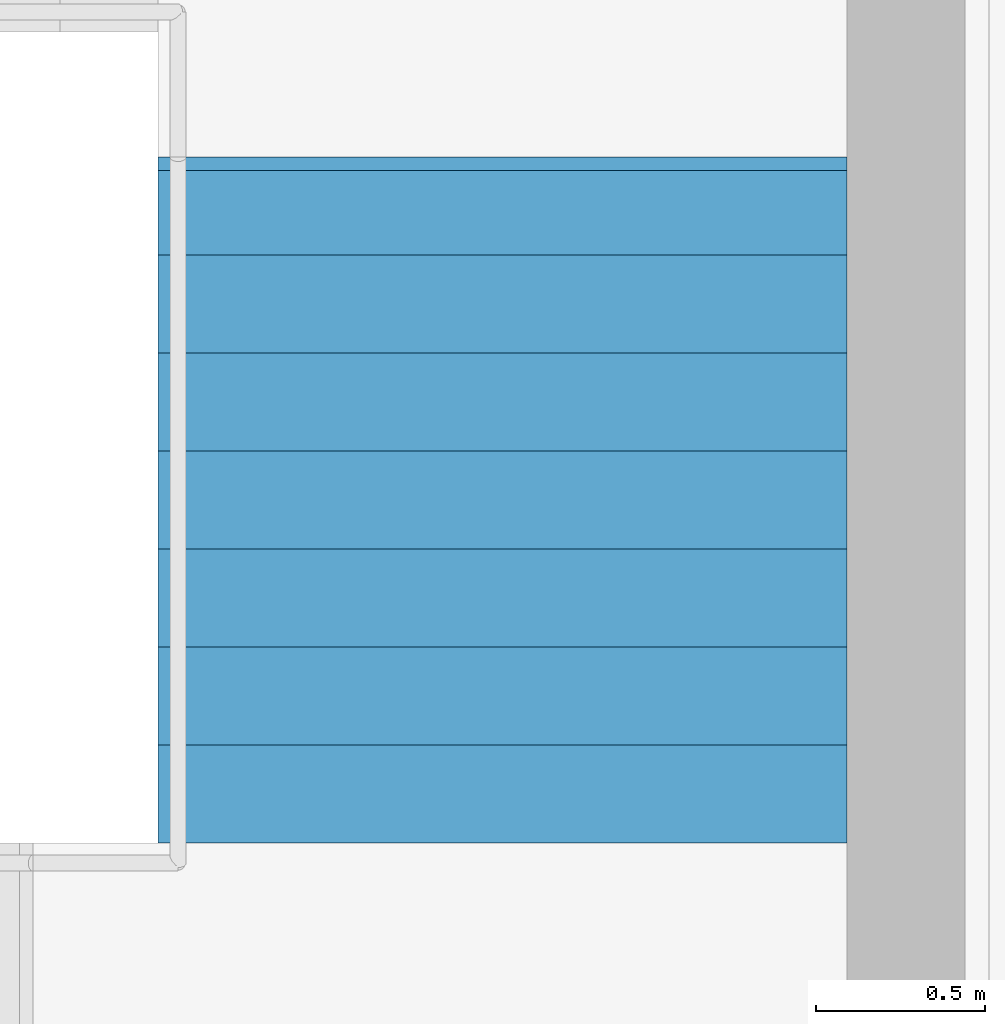
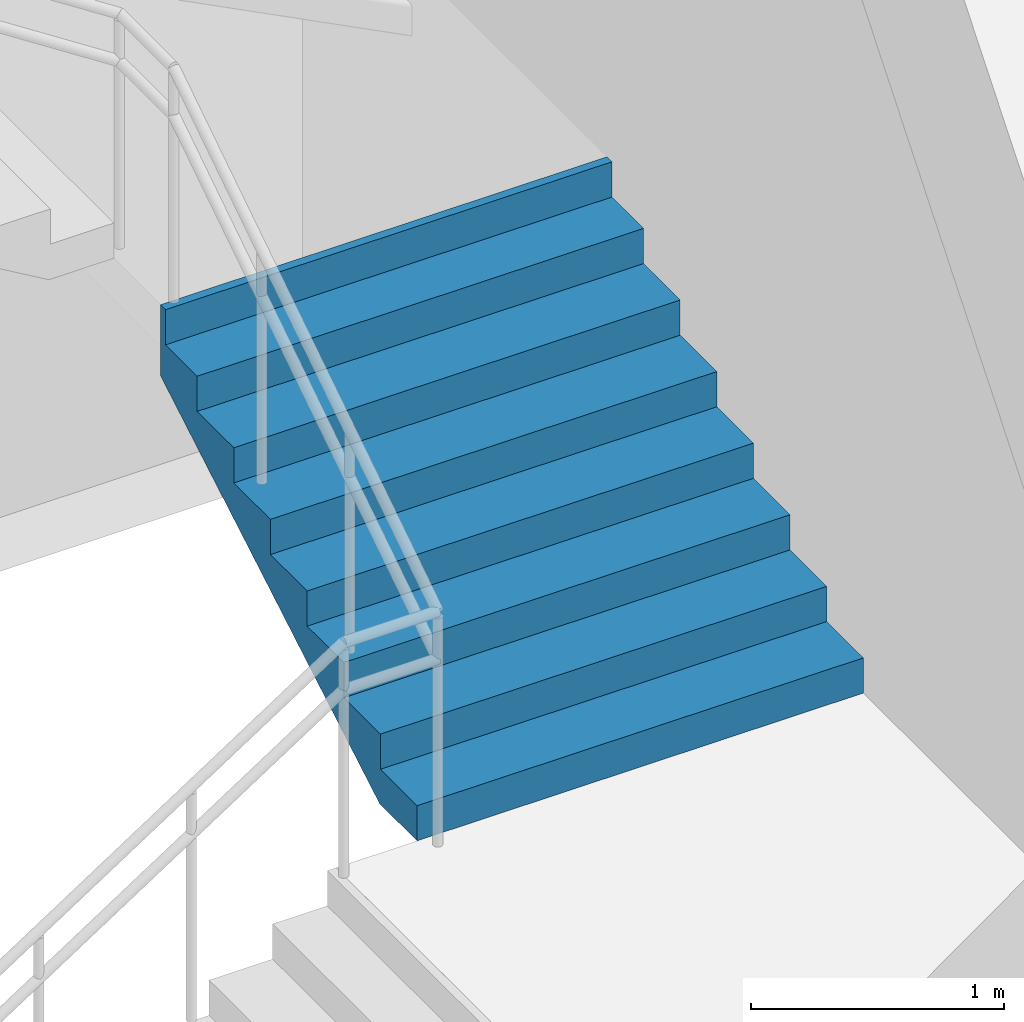
# One storey, part 56 of 74: 1 stair flight, 1 element without a shape of its own.
"""IFC4 building model written with IfcOpenShell, lengths in metres."""

from ifc_helpers import new_model, si_unit, direction, frame, origin, place, context, subcontext, project, spatial, triangles, material, type_object, element, aggregate, save


model = new_model("IFC4")

# Units and contexts
model_context = context("Model", 3, precision=1e-05, world=origin(), true_north=direction((0.0, 1.0)))
body_context = subcontext(model_context, "Body", "Model", "MODEL_VIEW")
ifc_project = project(units=[si_unit("LENGTHUNIT", "METRE"), si_unit("AREAUNIT", "SQUARE_METRE"), si_unit("VOLUMEUNIT", "CUBIC_METRE"), si_unit("PLANEANGLEUNIT", "RADIAN"), si_unit("MASSUNIT", "GRAM", prefix="KILO")], contexts=[model_context])

# Site, building, storey
site_placement = place(None, origin())
site = spatial("IfcSite", under=ifc_project, at=site_placement, CompositionType="ELEMENT")
building_placement = place(site_placement, origin())
building = spatial("IfcBuilding", under=site, at=building_placement, Name="Sillaruma Civic Art Gallery", CompositionType="ELEMENT")
storey_placement = place(building_placement, frame((0.0, 0.0, 5.43994140625)))
storey = spatial("IfcBuildingStorey", under=building, at=storey_placement, Name="L01", CompositionType="ELEMENT", Elevation=5.43994140625)

# Stair, stair flight
ifc_material = material(Name="Concrete H35 (35 MPa)", Category="concrete")
stair_type = type_object("IfcStairType", Name="STR-4F-32", PredefinedType="USERDEFINED", material=ifc_material)
stair_placement = place(storey_placement, origin())
stair = element("IfcStair", 1, at=stair_placement, inside=storey, type_object=stair_type, Name="Protected Exit Stair ST-04 (East Bar) (L01)", ObjectType="THREE_RETURN_STAIR", PredefinedType="USERDEFINED")
stair_flight_type = type_object("IfcStairFlightType", Name="SFL-STR-8", PredefinedType="STRAIGHT", material=ifc_material)
stair_flight_placement = place(storey_placement, frame((104.320068359375, 53.25, 1.360107421875), z_axis=(0.0, 0.0, 1.0), x_axis=(0.0, 1.0, 0.0)))
stair_flight = element("IfcStairFlight", 2, at=stair_flight_placement, type_object=stair_flight_type, Name="ST-04 flight 2", NumberOfRisers=8, NumberOfTreads=7, PredefinedType="STRAIGHT", RiserHeight=0.17, TreadLength=0.29, context=body_context, shape_type="Tessellation", body=[
    triangles([(0.0, -1.02001953125, 0.0), (0.29, -1.02001953125, 0.0), (0.296443, -1.02001953125, 0.0), (0.58, -1.02001953125, 0.166223), (0.87, -1.02001953125, 0.336223), (1.16, -1.02001953125, 0.506223), (1.45, -1.02001953125, 0.676223), (1.74, -1.02001953125, 0.846223), (1.990029, -1.02001953125, 0.992792), (2.030029, -1.02001953125, 1.01624), (2.030029, -1.02001953125, 1.36), (1.990029, -1.02001953125, 1.36), (1.990029, -1.02001953125, 1.19), (1.74, -1.02001953125, 1.19), (1.74, -1.02001953125, 1.02), (1.45, -1.02001953125, 1.02), (1.45, -1.02001953125, 0.85), (1.16, -1.02001953125, 0.85), (1.16, -1.02001953125, 0.68), (0.87, -1.02001953125, 0.68), (0.87, -1.02001953125, 0.51), (0.58, -1.02001953125, 0.51), (0.58, -1.02001953125, 0.34), (0.296443, -1.02001953125, 0.34), (0.29, -1.02001953125, 0.34), (0.29, -1.02001953125, 0.17), (0.0, -1.02001953125, 0.17), (0.0, -0.05, 0.0), (0.29, -0.05, 0.0), (0.296443, -0.05, 0.0), (0.58, -0.05, 0.166223), (0.87, -0.05, 0.336223), (1.16, -0.05, 0.506223), (1.45, -0.05, 0.676223), (1.74, -0.05, 0.846223), (1.990029, -0.05, 0.992792), (2.030029, -0.05, 1.01624), (2.030029, -0.05, 1.36), (1.990029, -0.05, 1.36), (1.990029, -0.05, 1.19), (1.74, -0.05, 1.19), (1.74, -0.05, 1.02), (1.45, -0.05, 1.02), (1.45, -0.05, 0.85), (1.16, -0.05, 0.85), (1.16, -0.05, 0.68), (0.87, -0.05, 0.68), (0.87, -0.05, 0.51), (0.58, -0.05, 0.51), (0.58, -0.05, 0.34), (0.296443, -0.05, 0.34), (0.29, -0.05, 0.34), (0.29, -0.05, 0.17), (0.0, -0.05, 0.17), (0.0, -0.0375, 0.0), (0.29, -0.0375, 0.0), (0.296443, -0.0375, 0.0), (0.58, -0.0375, 0.166223), (0.87, -0.0375, 0.336223), (1.16, -0.0375, 0.506223), (1.45, -0.0375, 0.676223), (1.74, -0.0375, 0.846223), (1.990029, -0.0375, 0.992792), (2.030029, -0.0375, 1.01624), (2.030029, -0.0375, 1.36), (1.990029, -0.0375, 1.36), (1.990029, -0.0375, 1.19), (1.74, -0.0375, 1.19), (1.74, -0.0375, 1.02), (1.45, -0.0375, 1.02), (1.45, -0.0375, 0.85), (1.16, -0.0375, 0.85), (1.16, -0.0375, 0.68), (0.87, -0.0375, 0.68), (0.87, -0.0375, 0.51), (0.58, -0.0375, 0.51), (0.58, -0.0375, 0.34), (0.296443, -0.0375, 0.34), (0.29, -0.0375, 0.34), (0.29, -0.0375, 0.17), (0.0, -0.0375, 0.17), (0.0, -0.025, 0.0), (0.29, -0.025, 0.0), (0.296443, -0.025, 0.0), (0.58, -0.025, 0.166223), (0.87, -0.025, 0.336223), (1.16, -0.025, 0.506223), (1.45, -0.025, 0.676223), (1.74, -0.025, 0.846223), (1.990029, -0.025, 0.992792), (2.030029, -0.025, 1.01624), (2.030029, -0.025, 1.36), (1.990029, -0.025, 1.36), (1.990029, -0.025, 1.19), (1.74, -0.025, 1.19), (1.74, -0.025, 1.02), (1.45, -0.025, 1.02), (1.45, -0.025, 0.85), (1.16, -0.025, 0.85), (1.16, -0.025, 0.68), (0.87, -0.025, 0.68), (0.87, -0.025, 0.51), (0.58, -0.025, 0.51), (0.58, -0.025, 0.34), (0.296443, -0.025, 0.34), (0.29, -0.025, 0.34), (0.29, -0.025, 0.17), (0.0, -0.025, 0.17), (0.0, -0.0125, 0.0), (0.29, -0.0125, 0.0), (0.296443, -0.0125, 0.0), (0.58, -0.0125, 0.166223), (0.87, -0.0125, 0.336223), (1.16, -0.0125, 0.506223), (1.45, -0.0125, 0.676223), (1.74, -0.0125, 0.846223), (1.990029, -0.0125, 0.992792), (2.030029, -0.0125, 1.01624), (2.030029, -0.0125, 1.36), (1.990029, -0.0125, 1.36), (1.990029, -0.0125, 1.19), (1.74, -0.0125, 1.19), (1.74, -0.0125, 1.02), (1.45, -0.0125, 1.02), (1.45, -0.0125, 0.85), (1.16, -0.0125, 0.85), (1.16, -0.0125, 0.68), (0.87, -0.0125, 0.68), (0.87, -0.0125, 0.51), (0.58, -0.0125, 0.51), (0.58, -0.0125, 0.34), (0.296443, -0.0125, 0.34), (0.29, -0.0125, 0.34), (0.29, -0.0125, 0.17), (0.0, -0.0125, 0.17), (0.0, 0.0, 0.0), (0.29, 0.0, 0.0), (0.296443, 0.0, 0.0), (0.58, 0.0, 0.166223), (0.87, 0.0, 0.336223), (1.16, 0.0, 0.506223), (1.45, 0.0, 0.676223), (1.74, 0.0, 0.846223), (1.990029, 0.0, 0.992792), (2.030029, 0.0, 1.01624), (2.030029, 0.0, 1.36), (1.990029, 0.0, 1.36), (1.990029, 0.0, 1.19), (1.74, 0.0, 1.19), (1.74, 0.0, 1.02), (1.45, 0.0, 1.02), (1.45, 0.0, 0.85), (1.16, 0.0, 0.85), (1.16, 0.0, 0.68), (0.87, 0.0, 0.68), (0.87, 0.0, 0.51), (0.58, 0.0, 0.51), (0.58, 0.0, 0.34), (0.296443, 0.0, 0.34), (0.29, 0.0, 0.34), (0.29, 0.0, 0.17), (0.0, 0.0, 0.17), (0.0, 0.0125, 0.0), (0.29, 0.0125, 0.0), (0.296443, 0.0125, 0.0), (0.58, 0.0125, 0.166223), (0.87, 0.0125, 0.336223), (1.16, 0.0125, 0.506223), (1.45, 0.0125, 0.676223), (1.74, 0.0125, 0.846223), (1.990029, 0.0125, 0.992792), (2.030029, 0.0125, 1.01624), (2.030029, 0.0125, 1.36), (1.990029, 0.0125, 1.36), (1.990029, 0.0125, 1.19), (1.74, 0.0125, 1.19), (1.74, 0.0125, 1.02), (1.45, 0.0125, 1.02), (1.45, 0.0125, 0.85), (1.16, 0.0125, 0.85), (1.16, 0.0125, 0.68), (0.87, 0.0125, 0.68), (0.87, 0.0125, 0.51), (0.58, 0.0125, 0.51), (0.58, 0.0125, 0.34), (0.296443, 0.0125, 0.34), (0.29, 0.0125, 0.34), (0.29, 0.0125, 0.17), (0.0, 0.0125, 0.17), (0.0, 0.025, 0.0), (0.29, 0.025, 0.0), (0.296443, 0.025, 0.0), (0.58, 0.025, 0.166223), (0.87, 0.025, 0.336223), (1.16, 0.025, 0.506223), (1.45, 0.025, 0.676223), (1.74, 0.025, 0.846223), (1.990029, 0.025, 0.992792), (2.030029, 0.025, 1.01624), (2.030029, 0.025, 1.36), (1.990029, 0.025, 1.36), (1.990029, 0.025, 1.19), (1.74, 0.025, 1.19), (1.74, 0.025, 1.02), (1.45, 0.025, 1.02), (1.45, 0.025, 0.85), (1.16, 0.025, 0.85), (1.16, 0.025, 0.68), (0.87, 0.025, 0.68), (0.87, 0.025, 0.51), (0.58, 0.025, 0.51), (0.58, 0.025, 0.34), (0.296443, 0.025, 0.34), (0.29, 0.025, 0.34), (0.29, 0.025, 0.17), (0.0, 0.025, 0.17), (0.0, 0.0375, 0.0), (0.29, 0.0375, 0.0), (0.296443, 0.0375, 0.0), (0.58, 0.0375, 0.166223), (0.87, 0.0375, 0.336223), (1.16, 0.0375, 0.506223), (1.45, 0.0375, 0.676223), (1.74, 0.0375, 0.846223), (1.990029, 0.0375, 0.992792), (2.030029, 0.0375, 1.01624), (2.030029, 0.0375, 1.36), (1.990029, 0.0375, 1.36), (1.990029, 0.0375, 1.19), (1.74, 0.0375, 1.19), (1.74, 0.0375, 1.02), (1.45, 0.0375, 1.02), (1.45, 0.0375, 0.85), (1.16, 0.0375, 0.85), (1.16, 0.0375, 0.68), (0.87, 0.0375, 0.68), (0.87, 0.0375, 0.51), (0.58, 0.0375, 0.51), (0.58, 0.0375, 0.34), (0.296443, 0.0375, 0.34), (0.29, 0.0375, 0.34), (0.29, 0.0375, 0.17), (0.0, 0.0375, 0.17), (0.0, 0.05, 0.0), (0.29, 0.05, 0.0), (0.296443, 0.05, 0.0), (0.58, 0.05, 0.166223), (0.87, 0.05, 0.336223), (1.16, 0.05, 0.506223), (1.45, 0.05, 0.676223), (1.74, 0.05, 0.846223), (1.990029, 0.05, 0.992792), (2.030029, 0.05, 1.01624), (2.030029, 0.05, 1.36), (1.990029, 0.05, 1.36), (1.990029, 0.05, 1.19), (1.74, 0.05, 1.19), (1.74, 0.05, 1.02), (1.45, 0.05, 1.02), (1.45, 0.05, 0.85), (1.16, 0.05, 0.85), (1.16, 0.05, 0.68), (0.87, 0.05, 0.68), (0.87, 0.05, 0.51), (0.58, 0.05, 0.51), (0.58, 0.05, 0.34), (0.296443, 0.05, 0.34), (0.29, 0.05, 0.34), (0.29, 0.05, 0.17), (0.0, 0.05, 0.17), (0.0, 1.02001953125, 0.0), (0.29, 1.02001953125, 0.0), (0.296443, 1.02001953125, 0.0), (0.58, 1.02001953125, 0.166223), (0.87, 1.02001953125, 0.336223), (1.16, 1.02001953125, 0.506223), (1.45, 1.02001953125, 0.676223), (1.74, 1.02001953125, 0.846223), (1.990029, 1.02001953125, 0.992792), (2.030029, 1.02001953125, 1.01624), (2.030029, 1.02001953125, 1.36), (1.990029, 1.02001953125, 1.36), (1.990029, 1.02001953125, 1.19), (1.74, 1.02001953125, 1.19), (1.74, 1.02001953125, 1.02), (1.45, 1.02001953125, 1.02), (1.45, 1.02001953125, 0.85), (1.16, 1.02001953125, 0.85), (1.16, 1.02001953125, 0.68), (0.87, 1.02001953125, 0.68), (0.87, 1.02001953125, 0.51), (0.58, 1.02001953125, 0.51), (0.58, 1.02001953125, 0.34), (0.296443, 1.02001953125, 0.34), (0.29, 1.02001953125, 0.34), (0.29, 1.02001953125, 0.17), (0.0, 1.02001953125, 0.17)], [[1, 2, 26], [1, 26, 27], [2, 3, 24], [2, 24, 26], [26, 24, 25], [3, 4, 23], [3, 23, 24], [4, 5, 21], [4, 21, 23], [23, 21, 22], [5, 6, 19], [5, 19, 21], [21, 19, 20], [6, 7, 17], [6, 17, 19], [19, 17, 18], [7, 8, 15], [7, 15, 17], [17, 15, 16], [8, 9, 13], [8, 13, 15], [15, 13, 14], [9, 10, 11], [9, 11, 13], [13, 11, 12], [296, 272, 271], [297, 296, 271], [294, 273, 272], [296, 294, 272], [295, 294, 296], [293, 274, 273], [294, 293, 273], [291, 275, 274], [293, 291, 274], [292, 291, 293], [289, 276, 275], [291, 289, 275], [290, 289, 291], [287, 277, 276], [289, 287, 276], [288, 287, 289], [285, 278, 277], [287, 285, 277], [286, 285, 287], [283, 279, 278], [285, 283, 278], [284, 283, 285], [281, 280, 279], [283, 281, 279], [282, 281, 283], [2, 1, 28], [2, 28, 29], [3, 2, 29], [3, 29, 30], [4, 3, 30], [4, 30, 31], [5, 4, 31], [5, 31, 32], [6, 5, 32], [6, 32, 33], [7, 6, 33], [7, 33, 34], [8, 7, 34], [8, 34, 35], [9, 8, 35], [9, 35, 36], [10, 9, 36], [10, 36, 37], [11, 10, 37], [11, 37, 38], [12, 11, 38], [12, 38, 39], [13, 12, 39], [13, 39, 40], [14, 13, 40], [14, 40, 41], [15, 14, 41], [15, 41, 42], [16, 15, 42], [16, 42, 43], [17, 16, 43], [17, 43, 44], [18, 17, 44], [18, 44, 45], [19, 18, 45], [19, 45, 46], [20, 19, 46], [20, 46, 47], [21, 20, 47], [21, 47, 48], [22, 21, 48], [22, 48, 49], [23, 22, 49], [23, 49, 50], [24, 23, 50], [24, 50, 51], [25, 24, 51], [25, 51, 52], [26, 25, 52], [26, 52, 53], [27, 26, 53], [27, 53, 54], [1, 27, 54], [1, 54, 28], [29, 28, 55], [29, 55, 56], [30, 29, 56], [30, 56, 57], [31, 30, 57], [31, 57, 58], [32, 31, 58], [32, 58, 59], [33, 32, 59], [33, 59, 60], [34, 33, 60], [34, 60, 61], [35, 34, 61], [35, 61, 62], [36, 35, 62], [36, 62, 63], [37, 36, 63], [37, 63, 64], [38, 37, 64], [38, 64, 65], [39, 38, 65], [39, 65, 66], [40, 39, 66], [40, 66, 67], [41, 40, 67], [41, 67, 68], [42, 41, 68], [42, 68, 69], [43, 42, 69], [43, 69, 70], [44, 43, 70], [44, 70, 71], [45, 44, 71], [45, 71, 72], [46, 45, 72], [46, 72, 73], [47, 46, 73], [47, 73, 74], [48, 47, 74], [48, 74, 75], [49, 48, 75], [49, 75, 76], [50, 49, 76], [50, 76, 77], [51, 50, 77], [51, 77, 78], [52, 51, 78], [52, 78, 79], [53, 52, 79], [53, 79, 80], [54, 53, 80], [54, 80, 81], [28, 54, 81], [28, 81, 55], [56, 55, 82], [56, 82, 83], [57, 56, 83], [57, 83, 84], [58, 57, 84], [58, 84, 85], [59, 58, 85], [59, 85, 86], [60, 59, 86], [60, 86, 87], [61, 60, 87], [61, 87, 88], [62, 61, 88], [62, 88, 89], [63, 62, 89], [63, 89, 90], [64, 63, 90], [64, 90, 91], [65, 64, 91], [65, 91, 92], [66, 65, 92], [66, 92, 93], [67, 66, 93], [67, 93, 94], [68, 67, 94], [68, 94, 95], [69, 68, 95], [69, 95, 96], [70, 69, 96], [70, 96, 97], [71, 70, 97], [71, 97, 98], [72, 71, 98], [72, 98, 99], [73, 72, 99], [73, 99, 100], [74, 73, 100], [74, 100, 101], [75, 74, 101], [75, 101, 102], [76, 75, 102], [76, 102, 103], [77, 76, 103], [77, 103, 104], [78, 77, 104], [78, 104, 105], [79, 78, 105], [79, 105, 106], [80, 79, 106], [80, 106, 107], [81, 80, 107], [81, 107, 108], [55, 81, 108], [55, 108, 82], [83, 82, 109], [83, 109, 110], [84, 83, 110], [84, 110, 111], [85, 84, 111], [85, 111, 112], [86, 85, 112], [86, 112, 113], [87, 86, 113], [87, 113, 114], [88, 87, 114], [88, 114, 115], [89, 88, 115], [89, 115, 116], [90, 89, 116], [90, 116, 117], [91, 90, 117], [91, 117, 118], [92, 91, 118], [92, 118, 119], [93, 92, 119], [93, 119, 120], [94, 93, 120], [94, 120, 121], [95, 94, 121], [95, 121, 122], [96, 95, 122], [96, 122, 123], [97, 96, 123], [97, 123, 124], [98, 97, 124], [98, 124, 125], [99, 98, 125], [99, 125, 126], [100, 99, 126], [100, 126, 127], [101, 100, 127], [101, 127, 128], [102, 101, 128], [102, 128, 129], [103, 102, 129], [103, 129, 130], [104, 103, 130], [104, 130, 131], [105, 104, 131], [105, 131, 132], [106, 105, 132], [106, 132, 133], [107, 106, 133], [107, 133, 134], [108, 107, 134], [108, 134, 135], [82, 108, 135], [82, 135, 109], [110, 109, 136], [110, 136, 137], [111, 110, 137], [111, 137, 138], [112, 111, 138], [112, 138, 139], [113, 112, 139], [113, 139, 140], [114, 113, 140], [114, 140, 141], [115, 114, 141], [115, 141, 142], [116, 115, 142], [116, 142, 143], [117, 116, 143], [117, 143, 144], [118, 117, 144], [118, 144, 145], [119, 118, 145], [119, 145, 146], [120, 119, 146], [120, 146, 147], [121, 120, 147], [121, 147, 148], [122, 121, 148], [122, 148, 149], [123, 122, 149], [123, 149, 150], [124, 123, 150], [124, 150, 151], [125, 124, 151], [125, 151, 152], [126, 125, 152], [126, 152, 153], [127, 126, 153], [127, 153, 154], [128, 127, 154], [128, 154, 155], [129, 128, 155], [129, 155, 156], [130, 129, 156], [130, 156, 157], [131, 130, 157], [131, 157, 158], [132, 131, 158], [132, 158, 159], [133, 132, 159], [133, 159, 160], [134, 133, 160], [134, 160, 161], [135, 134, 161], [135, 161, 162], [109, 135, 162], [109, 162, 136], [137, 136, 163], [137, 163, 164], [138, 137, 164], [138, 164, 165], [139, 138, 165], [139, 165, 166], [140, 139, 166], [140, 166, 167], [141, 140, 167], [141, 167, 168], [142, 141, 168], [142, 168, 169], [143, 142, 169], [143, 169, 170], [144, 143, 170], [144, 170, 171], [145, 144, 171], [145, 171, 172], [146, 145, 172], [146, 172, 173], [147, 146, 173], [147, 173, 174], [148, 147, 174], [148, 174, 175], [149, 148, 175], [149, 175, 176], [150, 149, 176], [150, 176, 177], [151, 150, 177], [151, 177, 178], [152, 151, 178], [152, 178, 179], [153, 152, 179], [153, 179, 180], [154, 153, 180], [154, 180, 181], [155, 154, 181], [155, 181, 182], [156, 155, 182], [156, 182, 183], [157, 156, 183], [157, 183, 184], [158, 157, 184], [158, 184, 185], [159, 158, 185], [159, 185, 186], [160, 159, 186], [160, 186, 187], [161, 160, 187], [161, 187, 188], [162, 161, 188], [162, 188, 189], [136, 162, 189], [136, 189, 163], [164, 163, 190], [164, 190, 191], [165, 164, 191], [165, 191, 192], [166, 165, 192], [166, 192, 193], [167, 166, 193], [167, 193, 194], [168, 167, 194], [168, 194, 195], [169, 168, 195], [169, 195, 196], [170, 169, 196], [170, 196, 197], [171, 170, 197], [171, 197, 198], [172, 171, 198], [172, 198, 199], [173, 172, 199], [173, 199, 200], [174, 173, 200], [174, 200, 201], [175, 174, 201], [175, 201, 202], [176, 175, 202], [176, 202, 203], [177, 176, 203], [177, 203, 204], [178, 177, 204], [178, 204, 205], [179, 178, 205], [179, 205, 206], [180, 179, 206], [180, 206, 207], [181, 180, 207], [181, 207, 208], [182, 181, 208], [182, 208, 209], [183, 182, 209], [183, 209, 210], [184, 183, 210], [184, 210, 211], [185, 184, 211], [185, 211, 212], [186, 185, 212], [186, 212, 213], [187, 186, 213], [187, 213, 214], [188, 187, 214], [188, 214, 215], [189, 188, 215], [189, 215, 216], [163, 189, 216], [163, 216, 190], [191, 190, 217], [191, 217, 218], [192, 191, 218], [192, 218, 219], [193, 192, 219], [193, 219, 220], [194, 193, 220], [194, 220, 221], [195, 194, 221], [195, 221, 222], [196, 195, 222], [196, 222, 223], [197, 196, 223], [197, 223, 224], [198, 197, 224], [198, 224, 225], [199, 198, 225], [199, 225, 226], [200, 199, 226], [200, 226, 227], [201, 200, 227], [201, 227, 228], [202, 201, 228], [202, 228, 229], [203, 202, 229], [203, 229, 230], [204, 203, 230], [204, 230, 231], [205, 204, 231], [205, 231, 232], [206, 205, 232], [206, 232, 233], [207, 206, 233], [207, 233, 234], [208, 207, 234], [208, 234, 235], [209, 208, 235], [209, 235, 236], [210, 209, 236], [210, 236, 237], [211, 210, 237], [211, 237, 238], [212, 211, 238], [212, 238, 239], [213, 212, 239], [213, 239, 240], [214, 213, 240], [214, 240, 241], [215, 214, 241], [215, 241, 242], [216, 215, 242], [216, 242, 243], [190, 216, 243], [190, 243, 217], [218, 217, 244], [218, 244, 245], [219, 218, 245], [219, 245, 246], [220, 219, 246], [220, 246, 247], [221, 220, 247], [221, 247, 248], [222, 221, 248], [222, 248, 249], [223, 222, 249], [223, 249, 250], [224, 223, 250], [224, 250, 251], [225, 224, 251], [225, 251, 252], [226, 225, 252], [226, 252, 253], [227, 226, 253], [227, 253, 254], [228, 227, 254], [228, 254, 255], [229, 228, 255], [229, 255, 256], [230, 229, 256], [230, 256, 257], [231, 230, 257], [231, 257, 258], [232, 231, 258], [232, 258, 259], [233, 232, 259], [233, 259, 260], [234, 233, 260], [234, 260, 261], [235, 234, 261], [235, 261, 262], [236, 235, 262], [236, 262, 263], [237, 236, 263], [237, 263, 264], [238, 237, 264], [238, 264, 265], [239, 238, 265], [239, 265, 266], [240, 239, 266], [240, 266, 267], [241, 240, 267], [241, 267, 268], [242, 241, 268], [242, 268, 269], [243, 242, 269], [243, 269, 270], [217, 243, 270], [217, 270, 244], [245, 244, 271], [245, 271, 272], [246, 245, 272], [246, 272, 273], [247, 246, 273], [247, 273, 274], [248, 247, 274], [248, 274, 275], [249, 248, 275], [249, 275, 276], [250, 249, 276], [250, 276, 277], [251, 250, 277], [251, 277, 278], [252, 251, 278], [252, 278, 279], [253, 252, 279], [253, 279, 280], [254, 253, 280], [254, 280, 281], [255, 254, 281], [255, 281, 282], [256, 255, 282], [256, 282, 283], [257, 256, 283], [257, 283, 284], [258, 257, 284], [258, 284, 285], [259, 258, 285], [259, 285, 286], [260, 259, 286], [260, 286, 287], [261, 260, 287], [261, 287, 288], [262, 261, 288], [262, 288, 289], [263, 262, 289], [263, 289, 290], [264, 263, 290], [264, 290, 291], [265, 264, 291], [265, 291, 292], [266, 265, 292], [266, 292, 293], [267, 266, 293], [267, 293, 294], [268, 267, 294], [268, 294, 295], [269, 268, 295], [269, 295, 296], [270, 269, 296], [270, 296, 297], [244, 270, 297], [244, 297, 271]], closed=True),
])
aggregate(stair, [stair_flight])

save(model, "model.ifc")
